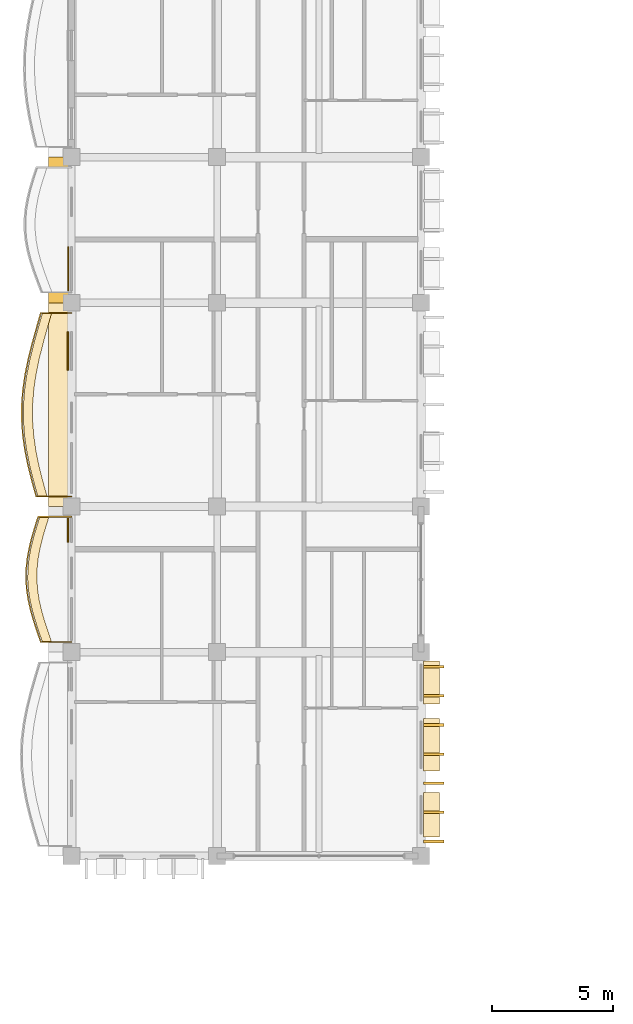
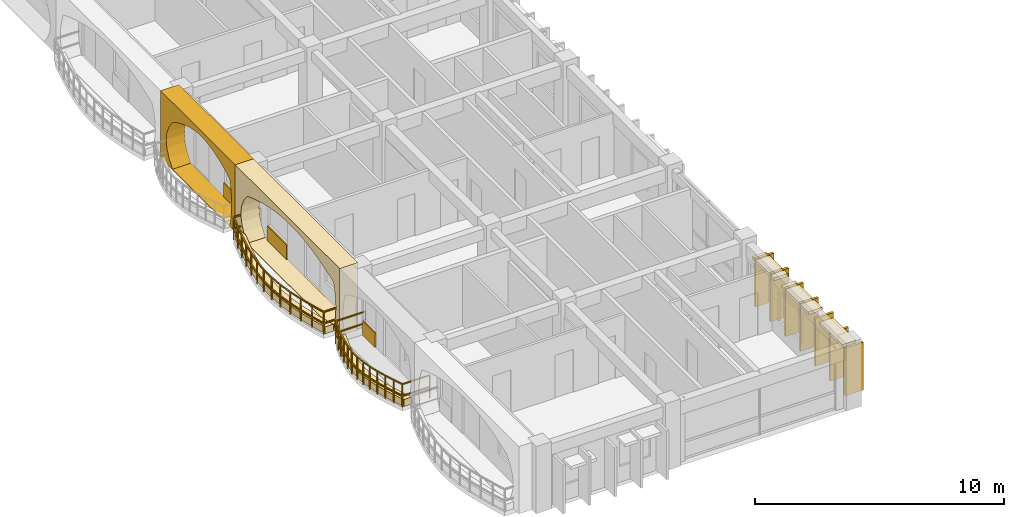
# One storey, part 58 of 79: 17 coverings, 2 railings.
"""IFC4 building model written with IfcOpenShell, lengths in metres."""

from ifc_helpers import new_model, si_unit, direction, frame, origin, origin_2d, place, context, subcontext, project, spatial, polyline, rectangle, outline, extrude, material, layer, layer_set, type_object, element, save


model = new_model("IFC4")

# Units and contexts
model_context = context("Model", 3, precision=1e-05, world=origin(), true_north=direction((0.0, 1.0)))
body_context = subcontext(model_context, "Body", "Model", "MODEL_VIEW")
ifc_project = project(units=[si_unit("LENGTHUNIT", "METRE"), si_unit("AREAUNIT", "SQUARE_METRE"), si_unit("VOLUMEUNIT", "CUBIC_METRE"), si_unit("PLANEANGLEUNIT", "RADIAN"), si_unit("MASSUNIT", "GRAM", prefix="KILO"), si_unit("THERMODYNAMICTEMPERATUREUNIT", "KELVIN")], contexts=[model_context])

# Site, building, storey
site_placement = place(None, origin())
site = spatial("IfcSite", under=ifc_project, at=site_placement, CompositionType="ELEMENT")
building_placement = place(site_placement, origin())
building = spatial("IfcBuilding", under=site, at=building_placement, Name="Thalorik Housing Commons", CompositionType="ELEMENT")
storey_placement = place(building_placement, frame((0.0, 0.0, 11.39990234375)))
storey = spatial("IfcBuildingStorey", under=building, at=storey_placement, Name="L03", CompositionType="ELEMENT", Elevation=11.39990234375)

# Coverings
ifc_material_1 = material(Name="Cobalt blue glazed ceramic facade tile panel", Category="masonry")
ifc_layer_1 = layer(ifc_material_1, 0.06005859375, Name="Cobalt blue glazed ceramic facade tile panel", Category="masonry")
ifc_layer_set_1 = layer_set([ifc_layer_1], Name="Cobalt blue glazed ceramic facade tile panel")
covering_type_1 = type_object("IfcCoveringType", Name="ARC-CLD-BLU-60", PredefinedType="CLADDING", material=ifc_layer_set_1)
covering_1_placement = place(storey_placement, frame((8.262451171875, 92.8173828125, 0.05029296875), z_axis=(0.0, 0.0, 1.0), x_axis=(0.0, -1.0, 0.0)))
element("IfcCovering", 1, at=covering_1_placement, inside=storey, type_object=covering_type_1, Name="L03 De Stijl Recessed Window Spandrel 322", PredefinedType="CLADDING", context=body_context, shape_type="SweptSolid", body=[
    extrude(rectangle(XDim=1.580078125, YDim=0.06005859375, at=origin_2d()), origin(), (0.0, 0.0, 1.0), 0.699951171875),
])
ifc_material_2 = material(Name="Precast concrete C40/50", Category="concrete")
ifc_layer_2 = layer(ifc_material_2, 0.85009765625, Name="Precast concrete C40/50", Category="concrete")
ifc_layer_set_2 = layer_set([ifc_layer_2], Name="Precast concrete C40/50")
covering_type_2 = type_object("IfcCoveringType", Name="ARC-CLD-CUSH-850", PredefinedType="CLADDING", material=ifc_layer_set_2)
covering_2_placement = place(storey_placement, frame((7.87255859375, 97.800048828125, 0.0), z_axis=(0.0, 0.0, 1.0), x_axis=(0.0, -1.0, 0.0)))
element("IfcCovering", 2, at=covering_2_placement, inside=storey, type_object=covering_type_2, Name="L03 White Precast Curved Cushion Bay Frame 319", PredefinedType="CLADDING", context=body_context, shape_type="SweptSolid", body=[
    extrude(outline(polyline([(-3.0, 0.0), (3.0, 0.0), (3.0, 3.300048828125), (-3.0, 3.300048828125), (-3.0, 0.0)]), holes=[polyline([(2.550048828125, 0.02490234375), (2.64501953125, 0.407470703125), (2.701904296875, 0.7900390625), (2.720947265625, 1.172607421875), (2.701904296875, 1.554931640625), (2.64501953125, 1.9375), (2.550048828125, 2.320068359375), (2.16748046875, 2.539306640625), (1.784912109375, 2.711181640625), (1.402587890625, 2.8505859375), (1.02001953125, 2.954345703125), (0.637451171875, 3.018310546875), (0.2548828125, 3.0400390625), (-0.12744140625, 3.018310546875), (-0.510009765625, 2.954345703125), (-0.892578125, 2.8505859375), (-1.27490234375, 2.711181640625), (-1.657470703125, 2.539306640625), (-2.0400390625, 2.320068359375), (-2.3232421875, 1.9375), (-2.493408203125, 1.554931640625), (-2.550048828125, 1.172607421875), (-2.493408203125, 0.7900390625), (-2.3232421875, 0.407470703125), (-2.0400390625, 0.02490234375), (2.550048828125, 0.02490234375)])]), frame((0.0, 0.425048828125, 0.0), z_axis=(0.0, -1.0, 0.0), x_axis=(1.0, 0.0, 0.0)), (0.0, 0.0, 1.0), 0.85009765625),
])
covering_3_placement = place(storey_placement, frame((7.87255859375, 90.60009765625, 0.0), z_axis=(0.0, 0.0, 1.0), x_axis=(0.0, -1.0, 0.0)))
element("IfcCovering", 3, at=covering_3_placement, inside=storey, type_object=covering_type_2, Name="L03 White Precast Curved Cushion Bay Frame 321", PredefinedType="CLADDING", context=body_context, shape_type="SweptSolid", body=[
    extrude(outline(polyline([(-4.199951171875, 0.0), (4.199951171875, 0.0), (4.199951171875, 3.300048828125), (-4.199951171875, 3.300048828125), (-4.199951171875, 0.0)]), holes=[polyline([(3.697509765625, 0.02490234375), (3.8037109375, 0.410888671875), (3.8671875, 0.796630859375), (3.888427734375, 1.1826171875), (3.8671875, 1.568359375), (3.8037109375, 1.9541015625), (3.697509765625, 2.340087890625), (3.119384765625, 2.552978515625), (2.541259765625, 2.720458984375), (1.963134765625, 2.85595703125), (1.385009765625, 2.956787109375), (0.806884765625, 3.01904296875), (0.228759765625, 3.0400390625), (-0.349365234375, 3.01904296875), (-0.927490234375, 2.956787109375), (-1.505615234375, 2.85595703125), (-2.083740234375, 2.720458984375), (-2.661865234375, 2.552978515625), (-3.239990234375, 2.340087890625), (-3.523193359375, 1.9541015625), (-3.693359375, 1.568359375), (-3.75, 1.1826171875), (-3.693359375, 0.796630859375), (-3.523193359375, 0.410888671875), (-3.239990234375, 0.02490234375), (3.697509765625, 0.02490234375)])]), frame((0.0, 0.425048828125, 0.0), z_axis=(0.0, -1.0, 0.0), x_axis=(1.0, 0.0, 0.0)), (0.0, 0.0, 1.0), 0.85009765625),
])
ifc_layer_3 = layer(ifc_material_2, 0.85009765625, Name="Precast concrete C40/50", Category="concrete")
ifc_layer_set_3 = layer_set([ifc_layer_3], Name="Precast concrete C40/50")
covering_type_3 = type_object("IfcCoveringType", Name="ARC-CLD-FIN-850", PredefinedType="CLADDING", material=ifc_layer_set_3)
for number, where, z_axis, x_axis, name in (
    (4, (23.327392578125, 72.60009765625, 0.0400390625), (0.0, 0.0, 1.0), (0.0, 1.0, 0.0), "L03 Courtyard Precast Vertical Brise-Soleil Fin 334"),
    (5, (23.327392578125, 73.800048828125, 0.0400390625), (0.0, 0.0, 1.0), (0.0, 1.0, 0.0), "L03 Courtyard Precast Vertical Brise-Soleil Fin 335"),
    (6, (23.327392578125, 75.0, 0.0400390625), (0.0, 0.0, 1.0), (0.0, 1.0, 0.0), "L03 Courtyard Precast Vertical Brise-Soleil Fin 336"),
    (7, (23.327392578125, 76.199951171875, 0.0400390625), (0.0, 0.0, 1.0), (0.0, 1.0, 0.0), "L03 Courtyard Precast Vertical Brise-Soleil Fin 337"),
    (8, (23.327392578125, 77.39990234375, 0.0400390625), (0.0, 0.0, 1.0), (0.0, 1.0, 0.0), "L03 Courtyard Precast Vertical Brise-Soleil Fin 338"),
    (9, (23.327392578125, 78.60009765625, 0.0400390625), (0.0, 0.0, 1.0), (0.0, 1.0, 0.0), "L03 Courtyard Precast Vertical Brise-Soleil Fin 339"),
    (10, (23.327392578125, 79.800048828125, 0.0400390625), (0.0, 0.0, 1.0), (0.0, 1.0, 0.0), "L03 Courtyard Precast Vertical Brise-Soleil Fin 340"),
):
    element("IfcCovering", number, at=place(storey_placement, frame(where, z_axis=z_axis, x_axis=x_axis)), inside=storey, type_object=covering_type_3, Name=name, PredefinedType="CLADDING", context=body_context, shape_type="SweptSolid", body=[
        extrude(rectangle(XDim=0.110107421875, YDim=0.85009765625, at=origin_2d()), origin(), (0.0, 0.0, 1.0), 2.344970703125),
    ])
ifc_layer_4 = layer(ifc_material_2, 0.64990234375, Name="Precast concrete C40/50", Category="concrete")
ifc_layer_set_4 = layer_set([ifc_layer_4], Name="Precast concrete C40/50")
covering_type_4 = type_object("IfcCoveringType", Name="ARC-CLD-HOOD-650", PredefinedType="CLADDING", material=ifc_layer_set_4)
covering_4_placement = place(storey_placement, frame((23.2275390625, 73.7021484375, 2.27001953125), z_axis=(0.0, 0.0, 1.0), x_axis=(0.0, 1.0, 0.0)))
element("IfcCovering", 11, at=covering_4_placement, inside=storey, type_object=covering_type_4, Name="L03 Courtyard Precast Window Sun-Hood 341", PredefinedType="CLADDING", context=body_context, shape_type="SweptSolid", body=[
    extrude(rectangle(XDim=1.820068359375, YDim=0.64990234375, at=origin_2d()), origin(), (0.0, 0.0, 1.0), 0.139892578125),
])
covering_5_placement = place(storey_placement, frame((23.2275390625, 76.586181640625, 2.22998046875), z_axis=(0.0, 0.0, 1.0), x_axis=(0.0, 1.0, 0.0)))
element("IfcCovering", 12, at=covering_5_placement, inside=storey, type_object=covering_type_4, Name="L03 Courtyard Precast Window Sun-Hood 342", PredefinedType="CLADDING", context=body_context, shape_type="SweptSolid", body=[
    extrude(rectangle(XDim=2.159912109375, YDim=0.64990234375, at=origin_2d()), origin(), (0.0, 0.0, 1.0), 0.139892578125),
])
covering_6_placement = place(storey_placement, frame((23.2275390625, 79.154296875, 2.2099609375), z_axis=(0.0, 0.0, 1.0), x_axis=(0.0, 1.0, 0.0)))
element("IfcCovering", 13, at=covering_6_placement, inside=storey, type_object=covering_type_4, Name="L03 Courtyard Precast Window Sun-Hood 343", PredefinedType="CLADDING", context=body_context, shape_type="SweptSolid", body=[
    extrude(rectangle(XDim=1.760009765625, YDim=0.64990234375, at=origin_2d()), origin(), (0.0, 0.0, 1.0), 0.139892578125),
])
ifc_material_3 = material(Name="Terracotta red mineral fibre-cement panel", Category="masonry")
ifc_layer_5 = layer(ifc_material_3, 0.054931640625, Name="Terracotta red mineral fibre-cement panel", Category="masonry")
ifc_layer_set_5 = layer_set([ifc_layer_5], Name="Terracotta red mineral fibre-cement panel")
covering_type_5 = type_object("IfcCoveringType", Name="ARC-CLD-RED-55", PredefinedType="CLADDING", material=ifc_layer_set_5)
covering_7_placement = place(storey_placement, frame((8.264892578125, 96.199951171875, 0.05029296875), z_axis=(0.0, 0.0, 1.0), x_axis=(0.0, -1.0, 0.0)))
element("IfcCovering", 14, at=covering_7_placement, inside=storey, type_object=covering_type_5, Name="L03 De Stijl Recessed Window Spandrel 320", PredefinedType="CLADDING", context=body_context, shape_type="SweptSolid", body=[
    extrude(rectangle(XDim=1.800048828125, YDim=0.054931640625, at=origin_2d()), origin(), (0.0, 0.0, 1.0), 0.699951171875),
])
ifc_material_4 = material(Name="Mineral ochre architectural terracotta panel", Category="masonry")
ifc_layer_6 = layer(ifc_material_4, 0.06494140625, Name="Mineral ochre architectural terracotta panel", Category="masonry")
ifc_layer_set_6 = layer_set([ifc_layer_6], Name="Mineral ochre architectural terracotta panel")
covering_type_6 = type_object("IfcCoveringType", Name="ARC-CLD-YEL-65", PredefinedType="CLADDING", material=ifc_layer_set_6)
covering_8_placement = place(storey_placement, frame((8.260009765625, 85.425048828125, 0.05029296875), z_axis=(0.0, 0.0, 1.0), x_axis=(0.0, -1.0, 0.0)))
element("IfcCovering", 15, at=covering_8_placement, inside=storey, type_object=covering_type_6, Name="L03 De Stijl Recessed Window Spandrel 324", PredefinedType="CLADDING", context=body_context, shape_type="SweptSolid", body=[
    extrude(rectangle(XDim=1.0, YDim=0.06494140625, at=origin_2d()), origin(), (0.0, 0.0, 1.0), 0.699951171875),
])
ifc_material_5 = material(Name="Planted vegetated substrate and terracotta trough", Category="masonry")
ifc_layer_7 = layer(ifc_material_5, 0.340087890625, Name="Planted vegetated substrate and terracotta trough", Category="masonry")
ifc_layer_set_7 = layer_set([ifc_layer_7], Name="Planted vegetated substrate and terracotta trough")
covering_type_7 = type_object("IfcCoveringType", Name="ARC-COV-PLANTER", PredefinedType="USERDEFINED", material=ifc_layer_set_7)
covering_9_placement = place(storey_placement, origin())
element("IfcCovering", 16, at=covering_9_placement, inside=storey, type_object=covering_type_7, Name="L03 Balcony Slab-Edge Planted Trough 5333", ObjectType="PLANTER", PredefinedType="USERDEFINED", context=body_context, shape_type="SweptSolid", body=[
    extrude(outline(polyline([(7.091796875, 85.97998046875), (6.95556640625, 85.550048828125), (6.829833984375, 85.1201171875), (6.7236328125, 84.68994140625), (6.64501953125, 84.260009765625), (6.60009765625, 83.830078125), (6.592041015625, 83.39990234375), (6.622314453125, 82.969970703125), (6.688720703125, 82.5400390625), (6.787109375, 82.110107421875), (6.910888671875, 81.679931640625), (7.051513671875, 81.25), (7.19921875, 80.820068359375), (7.5791015625, 80.820068359375), (7.431396484375, 81.25), (7.291015625, 81.679931640625), (7.167236328125, 82.110107421875), (7.068603515625, 82.5400390625), (7.002197265625, 82.969970703125), (6.97216796875, 83.39990234375), (6.97998046875, 83.830078125), (7.025146484375, 84.260009765625), (7.103759765625, 84.68994140625), (7.209716796875, 85.1201171875), (7.335693359375, 85.550048828125), (7.4716796875, 85.97998046875), (7.091796875, 85.97998046875)])), origin(), (0.0, 0.0, 1.0), 0.340087890625),
])
covering_10_placement = place(storey_placement, origin())
element("IfcCovering", 17, at=covering_10_placement, inside=storey, type_object=covering_type_7, Name="L03 Balcony Slab-Edge Planted Trough 5334", ObjectType="PLANTER", PredefinedType="USERDEFINED", context=body_context, shape_type="SweptSolid", body=[
    extrude(outline(polyline([(7.20068359375, 94.3798828125), (7.02099609375, 93.75), (6.84619140625, 93.1201171875), (6.6884765625, 92.489990234375), (6.55859375, 91.860107421875), (6.4658203125, 91.22998046875), (6.41650390625, 90.60009765625), (6.41455078125, 89.969970703125), (6.4599609375, 89.340087890625), (6.5498046875, 88.7099609375), (6.677978515625, 88.080078125), (6.8359375, 87.449951171875), (7.0126953125, 86.820068359375), (7.392578125, 86.820068359375), (7.2158203125, 87.449951171875), (7.05810546875, 88.080078125), (6.9296875, 88.7099609375), (6.83984375, 89.340087890625), (6.79443359375, 89.969970703125), (6.796630859375, 90.60009765625), (6.845703125, 91.22998046875), (6.938720703125, 91.860107421875), (7.068359375, 92.489990234375), (7.226318359375, 93.1201171875), (7.401123046875, 93.75), (7.580810546875, 94.3798828125), (7.20068359375, 94.3798828125)])), origin(), (0.0, 0.0, 1.0), 0.340087890625),
])

# Railings
ifc_material_6 = material(Name="Steel S355", Category="steel")
railing_type_1 = type_object("IfcRailingType", Name="ARC-RL-BAL-112", PredefinedType="BALUSTRADE", material=ifc_material_6)
railing_1_placement = place(storey_placement, frame((8.39990234375, 94.3798828125, 0.0)))
element("IfcRailing", 18, at=railing_1_placement, inside=storey, type_object=railing_type_1, Name="L03 Cushion Balcony Guardrail 18", PredefinedType="BALUSTRADE", context=body_context, shape_type="SweptSolid", body=[
    extrude(rectangle(XDim=0.050048828125, YDim=0.050048828125, at=origin_2d()), frame((0.0, 0.0, 1.09521484375), z_axis=(-1.0, 0.0, 0.0), x_axis=(0.0, -1.0, 0.0)), (0.0, 0.0, 1.0), 1.26904296875),
    extrude(rectangle(XDim=0.050048828125, YDim=0.050048828125, at=origin_2d()), frame((0.0, 0.0, 0.53515625), z_axis=(-1.0, 0.0, 0.0), x_axis=(0.0, -1.0, 0.0)), (0.0, 0.0, 1.0), 1.26904296875),
    extrude(rectangle(XDim=0.050048828125, YDim=0.050048828125, at=origin_2d()), frame((-1.26904296875, 0.0, 1.09521484375), z_axis=(-0.274327279801, -0.961636388432, 0.0), x_axis=(0.961636388432, -0.274327279801, 0.0)), (0.0, 0.0, 1.0), 0.655029296875),
    extrude(rectangle(XDim=0.050048828125, YDim=0.050048828125, at=origin_2d()), frame((-1.26904296875, 0.0, 0.53515625), z_axis=(-0.274327279801, -0.961636388432, 0.0), x_axis=(0.961636388432, -0.274327279801, 0.0)), (0.0, 0.0, 1.0), 0.655029296875),
    extrude(rectangle(XDim=0.050048828125, YDim=0.050048828125, at=origin_2d()), frame((-1.44873046875, -0.6298828125, 1.09521484375), z_axis=(-0.267759426227, -0.963485801487, 0.0), x_axis=(0.963485801487, -0.267759426227, 0.0)), (0.0, 0.0, 1.0), 0.65380859375),
    extrude(rectangle(XDim=0.050048828125, YDim=0.050048828125, at=origin_2d()), frame((-1.44873046875, -0.6298828125, 0.53515625), z_axis=(-0.267759426227, -0.963485801487, 0.0), x_axis=(0.963485801487, -0.267759426227, 0.0)), (0.0, 0.0, 1.0), 0.65380859375),
    extrude(rectangle(XDim=0.050048828125, YDim=0.050048828125, at=origin_2d()), frame((-1.623779296875, -1.259765625, 1.09521484375), z_axis=(-0.242800923842, -0.970076136899, 0.0), x_axis=(0.970076136899, -0.242800923842, 0.0)), (0.0, 0.0, 1.0), 0.649658203125),
    extrude(rectangle(XDim=0.050048828125, YDim=0.050048828125, at=origin_2d()), frame((-1.623779296875, -1.259765625, 0.53515625), z_axis=(-0.242800923842, -0.970076136899, 0.0), x_axis=(0.970076136899, -0.242800923842, 0.0)), (0.0, 0.0, 1.0), 0.649658203125),
    extrude(rectangle(XDim=0.050048828125, YDim=0.050048828125, at=origin_2d()), frame((-1.781494140625, -1.889892578125, 1.09521484375), z_axis=(-0.201952819313, -0.979395251557, 0.0), x_axis=(0.979395251557, -0.201952819313, 0.0)), (0.0, 0.0, 1.0), 0.64306640625),
    extrude(rectangle(XDim=0.050048828125, YDim=0.050048828125, at=origin_2d()), frame((-1.781494140625, -1.889892578125, 0.53515625), z_axis=(-0.201952819313, -0.979395251557, 0.0), x_axis=(0.979395251557, -0.201952819313, 0.0)), (0.0, 0.0, 1.0), 0.64306640625),
    extrude(rectangle(XDim=0.050048828125, YDim=0.050048828125, at=origin_2d()), frame((-1.911376953125, -2.519775390625, 1.09521484375), z_axis=(-0.145659518015, -0.989334778936, 0.0), x_axis=(0.989334778936, -0.145659518015, 0.0)), (0.0, 0.0, 1.0), 0.636962890625),
    extrude(rectangle(XDim=0.050048828125, YDim=0.050048828125, at=origin_2d()), frame((-1.911376953125, -2.519775390625, 0.53515625), z_axis=(-0.145659518015, -0.989334778936, 0.0), x_axis=(0.989334778936, -0.145659518015, 0.0)), (0.0, 0.0, 1.0), 0.636962890625),
    extrude(rectangle(XDim=0.050048828125, YDim=0.050048828125, at=origin_2d()), frame((-2.004150390625, -3.14990234375, 1.09521484375), z_axis=(-0.077671619497, -0.996978996531, 0.0), x_axis=(0.996978996531, -0.077671619497, 0.0)), (0.0, 0.0, 1.0), 0.6318359375),
    extrude(rectangle(XDim=0.050048828125, YDim=0.050048828125, at=origin_2d()), frame((-2.004150390625, -3.14990234375, 0.53515625), z_axis=(-0.077671619497, -0.996978996531, 0.0), x_axis=(0.996978996531, -0.077671619497, 0.0)), (0.0, 0.0, 1.0), 0.6318359375),
    extrude(rectangle(XDim=0.050048828125, YDim=0.050048828125, at=origin_2d()), frame((-2.05322265625, -3.77978515625, 1.09521484375), z_axis=(-0.003486999335, -0.999993920399, 0.0), x_axis=(0.999993920399, -0.003486999335, 0.0)), (0.0, 0.0, 1.0), 0.630126953125),
    extrude(rectangle(XDim=0.050048828125, YDim=0.050048828125, at=origin_2d()), frame((-2.05322265625, -3.77978515625, 0.53515625), z_axis=(-0.003486999335, -0.999993920399, 0.0), x_axis=(0.999993920399, -0.003486999335, 0.0)), (0.0, 0.0, 1.0), 0.630126953125),
    extrude(rectangle(XDim=0.050048828125, YDim=0.050048828125, at=origin_2d()), frame((-2.055419921875, -4.409912109375, 1.09521484375), z_axis=(0.071906402117, -0.997411384201, 0.0), x_axis=(0.997411384201, 0.071906402117, 0.0)), (0.0, 0.0, 1.0), 0.631591796875),
    extrude(rectangle(XDim=0.050048828125, YDim=0.050048828125, at=origin_2d()), frame((-2.055419921875, -4.409912109375, 0.53515625), z_axis=(0.071906402117, -0.997411384201, 0.0), x_axis=(0.997411384201, 0.071906402117, 0.0)), (0.0, 0.0, 1.0), 0.631591796875),
    extrude(rectangle(XDim=0.050048828125, YDim=0.050048828125, at=origin_2d()), frame((-2.010009765625, -5.039794921875, 1.09521484375), z_axis=(0.14115285376, -0.989987814004, 0.0), x_axis=(0.989987814004, 0.14115285376, 0.0)), (0.0, 0.0, 1.0), 0.636474609375),
    extrude(rectangle(XDim=0.050048828125, YDim=0.050048828125, at=origin_2d()), frame((-2.010009765625, -5.039794921875, 0.53515625), z_axis=(0.14115285376, -0.989987814004, 0.0), x_axis=(0.989987814004, 0.14115285376, 0.0)), (0.0, 0.0, 1.0), 0.636474609375),
    extrude(rectangle(XDim=0.050048828125, YDim=0.050048828125, at=origin_2d()), frame((-1.920166015625, -5.669921875, 1.09521484375), z_axis=(0.199401877541, -0.979917798202, 0.0), x_axis=(0.979917798202, 0.199401877541, 0.0)), (0.0, 0.0, 1.0), 0.642822265625),
    extrude(rectangle(XDim=0.050048828125, YDim=0.050048828125, at=origin_2d()), frame((-1.920166015625, -5.669921875, 0.53515625), z_axis=(0.199401877541, -0.979917798202, 0.0), x_axis=(0.979917798202, 0.199401877541, 0.0)), (0.0, 0.0, 1.0), 0.642822265625),
    extrude(rectangle(XDim=0.050048828125, YDim=0.050048828125, at=origin_2d()), frame((-1.7919921875, -6.2998046875, 1.09521484375), z_axis=(0.243154570848, -0.969987553877, 0.0), x_axis=(0.969987553877, 0.243154570848, 0.0)), (0.0, 0.0, 1.0), 0.649658203125),
    extrude(rectangle(XDim=0.050048828125, YDim=0.050048828125, at=origin_2d()), frame((-1.7919921875, -6.2998046875, 0.53515625), z_axis=(0.243154570848, -0.969987553877, 0.0), x_axis=(0.969987553877, 0.243154570848, 0.0)), (0.0, 0.0, 1.0), 0.649658203125),
    extrude(rectangle(XDim=0.050048828125, YDim=0.050048828125, at=origin_2d()), frame((-1.634033203125, -6.929931640625, 1.09521484375), z_axis=(0.270183563023, -0.962808829557, 0.0), x_axis=(0.962808829557, 0.270183563023, 0.0)), (0.0, 0.0, 1.0), 0.654296875),
    extrude(rectangle(XDim=0.050048828125, YDim=0.050048828125, at=origin_2d()), frame((-1.634033203125, -6.929931640625, 0.53515625), z_axis=(0.270183563023, -0.962808829557, 0.0), x_axis=(0.962808829557, 0.270183563023, 0.0)), (0.0, 0.0, 1.0), 0.654296875),
    extrude(rectangle(XDim=0.050048828125, YDim=0.050048828125, at=origin_2d()), frame((-1.457275390625, -7.559814453125, 1.09521484375), z_axis=(1.0, 0.0, 0.0), x_axis=(0.0, 1.0, 0.0)), (0.0, 0.0, 1.0), 1.457275390625),
    extrude(rectangle(XDim=0.050048828125, YDim=0.050048828125, at=origin_2d()), frame((-1.457275390625, -7.559814453125, 0.53515625), z_axis=(1.0, 0.0, 0.0), x_axis=(0.0, 1.0, 0.0)), (0.0, 0.0, 1.0), 1.457275390625),
    extrude(rectangle(XDim=0.0419921875, YDim=0.0419921875, at=origin_2d()), origin(), (0.0, 0.0, 1.0), 1.070068359375),
    extrude(rectangle(XDim=0.0419921875, YDim=0.0419921875, at=origin_2d()), frame((-1.26904296875, 0.0, 0.0)), (0.0, 0.0, 1.0), 1.070068359375),
    extrude(rectangle(XDim=0.0419921875, YDim=0.0419921875, at=origin_2d()), frame((-1.44873046875, -0.6298828125, 0.0)), (0.0, 0.0, 1.0), 1.070068359375),
    extrude(rectangle(XDim=0.0419921875, YDim=0.0419921875, at=origin_2d()), frame((-1.623779296875, -1.259765625, 0.0)), (0.0, 0.0, 1.0), 1.070068359375),
    extrude(rectangle(XDim=0.0419921875, YDim=0.0419921875, at=origin_2d()), frame((-1.781494140625, -1.889892578125, 0.0)), (0.0, 0.0, 1.0), 1.070068359375),
    extrude(rectangle(XDim=0.0419921875, YDim=0.0419921875, at=origin_2d()), frame((-1.911376953125, -2.519775390625, 0.0)), (0.0, 0.0, 1.0), 1.070068359375),
    extrude(rectangle(XDim=0.0419921875, YDim=0.0419921875, at=origin_2d()), frame((-2.004150390625, -3.14990234375, 0.0)), (0.0, 0.0, 1.0), 1.070068359375),
    extrude(rectangle(XDim=0.0419921875, YDim=0.0419921875, at=origin_2d()), frame((-2.05322265625, -3.77978515625, 0.0)), (0.0, 0.0, 1.0), 1.070068359375),
    extrude(rectangle(XDim=0.0419921875, YDim=0.0419921875, at=origin_2d()), frame((-2.055419921875, -4.409912109375, 0.0)), (0.0, 0.0, 1.0), 1.070068359375),
    extrude(rectangle(XDim=0.0419921875, YDim=0.0419921875, at=origin_2d()), frame((-2.010009765625, -5.039794921875, 0.0)), (0.0, 0.0, 1.0), 1.070068359375),
    extrude(rectangle(XDim=0.0419921875, YDim=0.0419921875, at=origin_2d()), frame((-1.920166015625, -5.669921875, 0.0)), (0.0, 0.0, 1.0), 1.070068359375),
    extrude(rectangle(XDim=0.0419921875, YDim=0.0419921875, at=origin_2d()), frame((-1.7919921875, -6.2998046875, 0.0)), (0.0, 0.0, 1.0), 1.070068359375),
    extrude(rectangle(XDim=0.0419921875, YDim=0.0419921875, at=origin_2d()), frame((-1.634033203125, -6.929931640625, 0.0)), (0.0, 0.0, 1.0), 1.070068359375),
    extrude(rectangle(XDim=0.0419921875, YDim=0.0419921875, at=origin_2d()), frame((-1.457275390625, -7.559814453125, 0.0)), (0.0, 0.0, 1.0), 1.070068359375),
    extrude(rectangle(XDim=0.0419921875, YDim=0.0419921875, at=origin_2d()), frame((0.0, -7.559814453125, 0.0)), (0.0, 0.0, 1.0), 1.070068359375),
])
railing_type_2 = type_object("IfcRailingType", Name="ARC-RL-BAL-115", PredefinedType="BALUSTRADE", material=ifc_material_6)
railing_2_placement = place(storey_placement, frame((8.39990234375, 85.97998046875, 0.0)))
element("IfcRailing", 19, at=railing_2_placement, inside=storey, type_object=railing_type_2, Name="L03 Cushion Balcony Guardrail 17", PredefinedType="BALUSTRADE", context=body_context, shape_type="SweptSolid", body=[
    extrude(rectangle(XDim=0.050048828125, YDim=0.050048828125, at=origin_2d()), frame((0.0, 0.0, 1.125), z_axis=(-1.0, 0.0, 0.0), x_axis=(0.0, -1.0, 0.0)), (0.0, 0.0, 1.0), 1.378173828125),
    extrude(rectangle(XDim=0.050048828125, YDim=0.050048828125, at=origin_2d()), frame((0.0, 0.0, 0.5498046875), z_axis=(-1.0, 0.0, 0.0), x_axis=(0.0, -1.0, 0.0)), (0.0, 0.0, 1.0), 1.378173828125),
    extrude(rectangle(XDim=0.050048828125, YDim=0.050048828125, at=origin_2d()), frame((-1.378173828125, 0.0, 1.125), z_axis=(-0.302063898652, -0.953287680153, 0.0), x_axis=(0.953287680153, -0.302063898652, 0.0)), (0.0, 0.0, 1.0), 0.450927734375),
    extrude(rectangle(XDim=0.050048828125, YDim=0.050048828125, at=origin_2d()), frame((-1.378173828125, 0.0, 0.5498046875), z_axis=(-0.302063898652, -0.953287680153, 0.0), x_axis=(0.953287680153, -0.302063898652, 0.0)), (0.0, 0.0, 1.0), 0.450927734375),
    extrude(rectangle(XDim=0.050048828125, YDim=0.050048828125, at=origin_2d()), frame((-1.514404296875, -0.429931640625, 1.125), z_axis=(-0.280690589897, -0.959798308367, 0.0), x_axis=(0.959798308367, -0.280690589897, 0.0)), (0.0, 0.0, 1.0), 0.447998046875),
    extrude(rectangle(XDim=0.050048828125, YDim=0.050048828125, at=origin_2d()), frame((-1.514404296875, -0.429931640625, 0.5498046875), z_axis=(-0.280690589897, -0.959798308367, 0.0), x_axis=(0.959798308367, -0.280690589897, 0.0)), (0.0, 0.0, 1.0), 0.447998046875),
    extrude(rectangle(XDim=0.050048828125, YDim=0.050048828125, at=origin_2d()), frame((-1.64013671875, -0.85986328125, 1.125), z_axis=(-0.239162929343, -0.970979450466, 0.0), x_axis=(0.970979450466, -0.239162929343, 0.0)), (0.0, 0.0, 1.0), 0.443115234375),
    extrude(rectangle(XDim=0.050048828125, YDim=0.050048828125, at=origin_2d()), frame((-1.64013671875, -0.85986328125, 0.5498046875), z_axis=(-0.239162929343, -0.970979450466, 0.0), x_axis=(0.970979450466, -0.239162929343, 0.0)), (0.0, 0.0, 1.0), 0.443115234375),
    extrude(rectangle(XDim=0.050048828125, YDim=0.050048828125, at=origin_2d()), frame((-1.74609375, -1.2900390625, 1.125), z_axis=(-0.179868480961, -0.983690667617, 0.0), x_axis=(0.983690667617, -0.179868480961, 0.0)), (0.0, 0.0, 1.0), 0.43701171875),
    extrude(rectangle(XDim=0.050048828125, YDim=0.050048828125, at=origin_2d()), frame((-1.74609375, -1.2900390625, 0.5498046875), z_axis=(-0.179868480961, -0.983690667617, 0.0), x_axis=(0.983690667617, -0.179868480961, 0.0)), (0.0, 0.0, 1.0), 0.43701171875),
    extrude(rectangle(XDim=0.050048828125, YDim=0.050048828125, at=origin_2d()), frame((-1.82470703125, -1.719970703125, 1.125), z_axis=(-0.104478996176, -0.994527093325, 0.0), x_axis=(0.994527093325, -0.104478996176, 0.0)), (0.0, 0.0, 1.0), 0.432373046875),
    extrude(rectangle(XDim=0.050048828125, YDim=0.050048828125, at=origin_2d()), frame((-1.82470703125, -1.719970703125, 0.5498046875), z_axis=(-0.104478996176, -0.994527093325, 0.0), x_axis=(0.994527093325, -0.104478996176, 0.0)), (0.0, 0.0, 1.0), 0.432373046875),
    extrude(rectangle(XDim=0.050048828125, YDim=0.050048828125, at=origin_2d()), frame((-1.869873046875, -2.14990234375, 1.125), z_axis=(-0.01815818618, -0.999835126546, 0.0), x_axis=(0.999835126546, -0.01815818618, 0.0)), (0.0, 0.0, 1.0), 0.43017578125),
    extrude(rectangle(XDim=0.050048828125, YDim=0.050048828125, at=origin_2d()), frame((-1.869873046875, -2.14990234375, 0.5498046875), z_axis=(-0.01815818618, -0.999835126546, 0.0), x_axis=(0.999835126546, -0.01815818618, 0.0)), (0.0, 0.0, 1.0), 0.43017578125),
    extrude(rectangle(XDim=0.050048828125, YDim=0.050048828125, at=origin_2d()), frame((-1.877685546875, -2.580078125, 1.125), z_axis=(0.069676923341, -0.997569609779, 0.0), x_axis=(0.997569609779, 0.069676923341, 0.0)), (0.0, 0.0, 1.0), 0.430908203125),
    extrude(rectangle(XDim=0.050048828125, YDim=0.050048828125, at=origin_2d()), frame((-1.877685546875, -2.580078125, 0.5498046875), z_axis=(0.069676923341, -0.997569609779, 0.0), x_axis=(0.997569609779, 0.069676923341, 0.0)), (0.0, 0.0, 1.0), 0.430908203125),
    extrude(rectangle(XDim=0.050048828125, YDim=0.050048828125, at=origin_2d()), frame((-1.84765625, -3.010009765625, 1.125), z_axis=(0.152647556976, -0.988280690568, 0.0), x_axis=(0.988280690568, 0.152647556976, 0.0)), (0.0, 0.0, 1.0), 0.43505859375),
    extrude(rectangle(XDim=0.050048828125, YDim=0.050048828125, at=origin_2d()), frame((-1.84765625, -3.010009765625, 0.5498046875), z_axis=(0.152647556976, -0.988280690568, 0.0), x_axis=(0.988280690568, 0.152647556976, 0.0)), (0.0, 0.0, 1.0), 0.43505859375),
    extrude(rectangle(XDim=0.050048828125, YDim=0.050048828125, at=origin_2d()), frame((-1.78125, -3.43994140625, 1.125), z_axis=(0.2236062155, -0.974679568058, 0.0), x_axis=(0.974679568058, 0.2236062155, 0.0)), (0.0, 0.0, 1.0), 0.441162109375),
    extrude(rectangle(XDim=0.050048828125, YDim=0.050048828125, at=origin_2d()), frame((-1.78125, -3.43994140625, 0.5498046875), z_axis=(0.2236062155, -0.974679568058, 0.0), x_axis=(0.974679568058, 0.2236062155, 0.0)), (0.0, 0.0, 1.0), 0.441162109375),
    extrude(rectangle(XDim=0.050048828125, YDim=0.050048828125, at=origin_2d()), frame((-1.6826171875, -3.869873046875, 1.125), z_axis=(0.27652151933, -0.961007725956, 0.0), x_axis=(0.961007725956, 0.27652151933, 0.0)), (0.0, 0.0, 1.0), 0.447509765625),
    extrude(rectangle(XDim=0.050048828125, YDim=0.050048828125, at=origin_2d()), frame((-1.6826171875, -3.869873046875, 0.5498046875), z_axis=(0.27652151933, -0.961007725956, 0.0), x_axis=(0.961007725956, 0.27652151933, 0.0)), (0.0, 0.0, 1.0), 0.447509765625),
    extrude(rectangle(XDim=0.050048828125, YDim=0.050048828125, at=origin_2d()), frame((-1.558837890625, -4.300048828125, 1.125), z_axis=(0.310391826564, -0.950608707094, 0.0), x_axis=(0.950608707094, 0.310391826564, 0.0)), (0.0, 0.0, 1.0), 0.4521484375),
    extrude(rectangle(XDim=0.050048828125, YDim=0.050048828125, at=origin_2d()), frame((-1.558837890625, -4.300048828125, 0.5498046875), z_axis=(0.310391826564, -0.950608707094, 0.0), x_axis=(0.950608707094, 0.310391826564, 0.0)), (0.0, 0.0, 1.0), 0.4521484375),
    extrude(rectangle(XDim=0.050048828125, YDim=0.050048828125, at=origin_2d()), frame((-1.41845703125, -4.72998046875, 1.125), z_axis=(0.324914662022, -0.945743338546, 0.0), x_axis=(0.945743338546, 0.324914662022, 0.0)), (0.0, 0.0, 1.0), 0.45458984375),
    extrude(rectangle(XDim=0.050048828125, YDim=0.050048828125, at=origin_2d()), frame((-1.41845703125, -4.72998046875, 0.5498046875), z_axis=(0.324914662022, -0.945743338546, 0.0), x_axis=(0.945743338546, 0.324914662022, 0.0)), (0.0, 0.0, 1.0), 0.45458984375),
    extrude(rectangle(XDim=0.050048828125, YDim=0.050048828125, at=origin_2d()), frame((-1.270751953125, -5.159912109375, 1.125), z_axis=(1.0, 0.0, 0.0), x_axis=(0.0, 1.0, 0.0)), (0.0, 0.0, 1.0), 1.270751953125),
    extrude(rectangle(XDim=0.050048828125, YDim=0.050048828125, at=origin_2d()), frame((-1.270751953125, -5.159912109375, 0.5498046875), z_axis=(1.0, 0.0, 0.0), x_axis=(0.0, 1.0, 0.0)), (0.0, 0.0, 1.0), 1.270751953125),
    extrude(rectangle(XDim=0.0419921875, YDim=0.0419921875, at=origin_2d()), origin(), (0.0, 0.0, 1.0), 1.099853515625),
    extrude(rectangle(XDim=0.0419921875, YDim=0.0419921875, at=origin_2d()), frame((-1.378173828125, 0.0, 0.0)), (0.0, 0.0, 1.0), 1.099853515625),
    extrude(rectangle(XDim=0.0419921875, YDim=0.0419921875, at=origin_2d()), frame((-1.514404296875, -0.429931640625, 0.0)), (0.0, 0.0, 1.0), 1.099853515625),
    extrude(rectangle(XDim=0.0419921875, YDim=0.0419921875, at=origin_2d()), frame((-1.64013671875, -0.85986328125, 0.0)), (0.0, 0.0, 1.0), 1.099853515625),
    extrude(rectangle(XDim=0.0419921875, YDim=0.0419921875, at=origin_2d()), frame((-1.74609375, -1.2900390625, 0.0)), (0.0, 0.0, 1.0), 1.099853515625),
    extrude(rectangle(XDim=0.0419921875, YDim=0.0419921875, at=origin_2d()), frame((-1.82470703125, -1.719970703125, 0.0)), (0.0, 0.0, 1.0), 1.099853515625),
    extrude(rectangle(XDim=0.0419921875, YDim=0.0419921875, at=origin_2d()), frame((-1.869873046875, -2.14990234375, 0.0)), (0.0, 0.0, 1.0), 1.099853515625),
    extrude(rectangle(XDim=0.0419921875, YDim=0.0419921875, at=origin_2d()), frame((-1.877685546875, -2.580078125, 0.0)), (0.0, 0.0, 1.0), 1.099853515625),
    extrude(rectangle(XDim=0.0419921875, YDim=0.0419921875, at=origin_2d()), frame((-1.84765625, -3.010009765625, 0.0)), (0.0, 0.0, 1.0), 1.099853515625),
    extrude(rectangle(XDim=0.0419921875, YDim=0.0419921875, at=origin_2d()), frame((-1.78125, -3.43994140625, 0.0)), (0.0, 0.0, 1.0), 1.099853515625),
    extrude(rectangle(XDim=0.0419921875, YDim=0.0419921875, at=origin_2d()), frame((-1.6826171875, -3.869873046875, 0.0)), (0.0, 0.0, 1.0), 1.099853515625),
    extrude(rectangle(XDim=0.0419921875, YDim=0.0419921875, at=origin_2d()), frame((-1.558837890625, -4.300048828125, 0.0)), (0.0, 0.0, 1.0), 1.099853515625),
    extrude(rectangle(XDim=0.0419921875, YDim=0.0419921875, at=origin_2d()), frame((-1.41845703125, -4.72998046875, 0.0)), (0.0, 0.0, 1.0), 1.099853515625),
    extrude(rectangle(XDim=0.0419921875, YDim=0.0419921875, at=origin_2d()), frame((-1.270751953125, -5.159912109375, 0.0)), (0.0, 0.0, 1.0), 1.099853515625),
    extrude(rectangle(XDim=0.0419921875, YDim=0.0419921875, at=origin_2d()), frame((0.0, -5.159912109375, 0.0)), (0.0, 0.0, 1.0), 1.099853515625),
])

save(model, "model.ifc")
